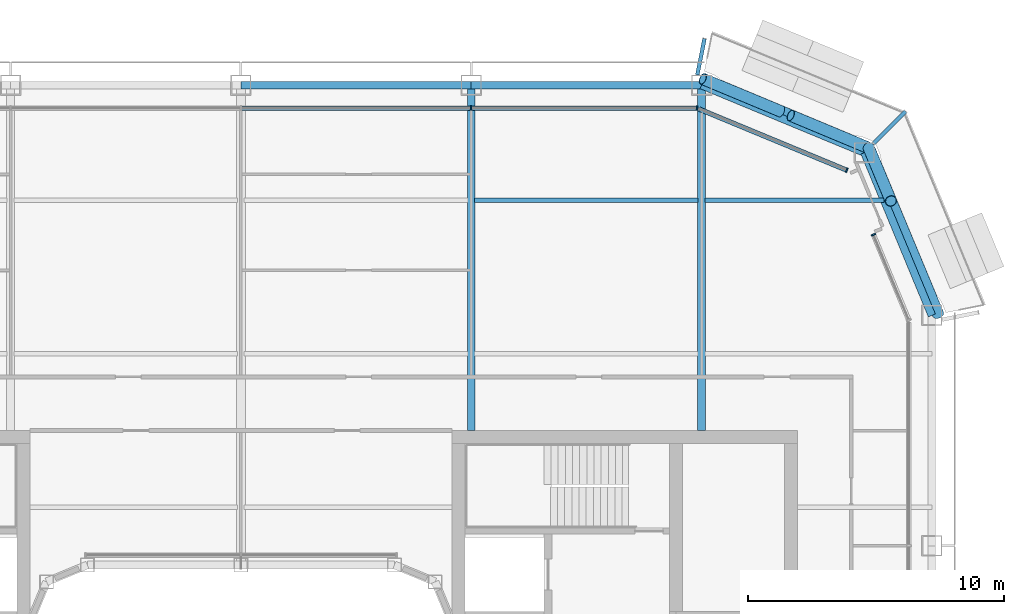
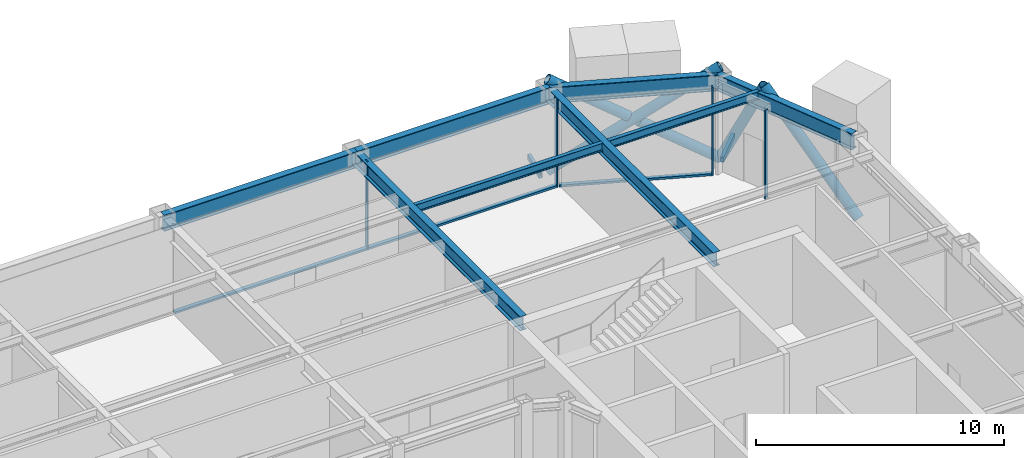
# One storey, part 10 of 23: 12 members, 10 beams, 3 elements without a shape of their own.
"""IFC4 building model written with IfcOpenShell, lengths in metres."""

from ifc_helpers import new_model, si_unit, direction, frame, origin, origin_2d, place, context, subcontext, project, spatial, rectangle, hollow_rectangle, hollow_circle, i_section, extrude, material, layer, layer_set, material_profile, profile_set, type_object, element, aggregate, save


model = new_model("IFC4")

# Units and contexts
model_context = context("Model", 3, precision=1e-05, world=origin(), true_north=direction((0.0, 1.0)))
body_context = subcontext(model_context, "Body", "Model", "MODEL_VIEW")
ifc_project = project(units=[si_unit("LENGTHUNIT", "METRE"), si_unit("AREAUNIT", "SQUARE_METRE"), si_unit("VOLUMEUNIT", "CUBIC_METRE"), si_unit("PLANEANGLEUNIT", "RADIAN"), si_unit("MASSUNIT", "GRAM", prefix="KILO")], contexts=[model_context])

# Site, building, storey
site_placement = place(None, origin())
site = spatial("IfcSite", under=ifc_project, at=site_placement, CompositionType="ELEMENT")
building_placement = place(site_placement, origin())
building = spatial("IfcBuilding", under=site, at=building_placement, Name="Siwar Civic Tower", CompositionType="ELEMENT")
storey_placement = place(building_placement, frame((0.0, 0.0, 242.199951171875)))
storey = spatial("IfcBuildingStorey", under=building, at=storey_placement, Name="L52", CompositionType="ELEMENT", Elevation=242.199951171875)

# Beams
ifc_material_1 = material(Name="Steel S355", Category="steel")
ifc_material_profile_1 = material_profile(ifc_material_1, hollow_rectangle(XDim=0.14990234375, YDim=0.25, WallThickness=0.010009765625, at=origin_2d()), Name="RHS250x150x10")
ifc_profile_set_1 = profile_set([ifc_material_profile_1], Name="Steel S355")
beam_type_1 = type_object("IfcBeamType", Name="ENV-BALCONY ARM", PredefinedType="BEAM", material=ifc_profile_set_1)
beam_1_placement = place(storey_placement, frame((24.728515625, 24.728515625, -0.27490234375), z_axis=(0.707106781187, 0.707106781187, 0.0), x_axis=(-0.707106781187, 0.707106781187, 0.0)))
element("IfcBeam", 1, at=beam_1_placement, inside=storey, type_object=beam_type_1, Name="Balcony cantilever beam NE 2", PredefinedType="BEAM", context=body_context, shape_type="SweptSolid", body=[
    extrude(hollow_rectangle(XDim=0.14990234375, YDim=0.25, WallThickness=0.010009765625, at=origin_2d()), origin(), (0.0, 0.0, 1.0), 1.75732421875),
])
beam_2_placement = place(storey_placement, frame((17.8349609375, 27.39990234375, -0.27490234375), z_axis=(0.195042496631, 0.980794792252, 0.0), x_axis=(-0.980794792252, 0.195042496631, 0.0)))
element("IfcBeam", 2, at=beam_2_placement, inside=storey, type_object=beam_type_1, Name="Balcony cantilever beam NE 3", PredefinedType="BEAM", context=body_context, shape_type="SweptSolid", body=[
    extrude(hollow_rectangle(XDim=0.14990234375, YDim=0.25, WallThickness=0.010009765625, at=origin_2d()), origin(), (0.0, 0.0, 1.0), 1.443359375),
])

# Curtain wall, member
ifc_material_2 = material(Name="Aluminium clad insulated panel", Category="aluminium")
ifc_layer_1 = layer(ifc_material_2, 0.179931640625)
ifc_layer_set_1 = layer_set([ifc_layer_1], Name="Aluminium clad insulated panel")
curtain_wall_type_1 = type_object("IfcCurtainWallType", Name="ENV-CW-CX", PredefinedType="NOTDEFINED", material=ifc_layer_set_1)
curtain_wall_1_placement = place(storey_placement, origin())
curtain_wall_1 = element("IfcCurtainWall", 3, at=curtain_wall_1_placement, inside=storey, type_object=curtain_wall_type_1, Name="Curtain wall C NE1", PredefinedType="NOTDEFINED")
ifc_material_3 = material(Name="Aluminium 6063-T6", Category="aluminium")
ifc_material_profile_2 = material_profile(ifc_material_3, rectangle(XDim=0.179931640625, YDim=0.06005859375, at=origin_2d()), Name="AL 180x60")
ifc_profile_set_2 = profile_set([ifc_material_profile_2], Name="Aluminium 6063-T6")
member_type_1 = type_object("IfcMemberType", Name="ENV-MULLION-C", PredefinedType="MULLION", material=ifc_profile_set_2)
member_1_placement = place(storey_placement, frame((24.719482421875, 21.153564453125, 0.0), z_axis=(0.0, 0.0, 1.0), x_axis=(-0.923879532511, -0.382683432365, 0.0)))
member_1 = element("IfcMember", 4, at=member_1_placement, type_object=member_type_1, Name="Mullion C NE1 2", PredefinedType="MULLION", context=body_context, shape_type="SweptSolid", body=[
    extrude(rectangle(XDim=0.179931640625, YDim=0.06005859375, at=origin_2d()), origin(), (0.0, 0.0, 1.0), 4.35009765625),
])
aggregate(curtain_wall_1, [member_1])

curtain_wall_2_placement = place(storey_placement, origin())
curtain_wall_2 = element("IfcCurtainWall", 5, at=curtain_wall_2_placement, inside=storey, type_object=curtain_wall_type_1, Name="Curtain wall C NE2", PredefinedType="NOTDEFINED")
member_2_placement = place(storey_placement, frame((23.675048828125, 23.675048828125, 0.0), z_axis=(0.0, 0.0, 1.0), x_axis=(-0.382683432365, -0.923879532511, 0.0)))
member_2 = element("IfcMember", 6, at=member_2_placement, type_object=member_type_1, Name="Mullion C NE2 1", PredefinedType="MULLION", context=body_context, shape_type="SweptSolid", body=[
    extrude(rectangle(XDim=0.179931640625, YDim=0.06005859375, at=origin_2d()), origin(), (0.0, 0.0, 1.0), 4.35009765625),
])

# Curtain wall, members
ifc_material_4 = material(Name="Aluminium and glass", Category="aluminium")
ifc_layer_2 = layer(ifc_material_4, 0.179931640625)
ifc_layer_set_2 = layer_set([ifc_layer_2], Name="Aluminium and glass")
curtain_wall_type_2 = type_object("IfcCurtainWallType", Name="ENV-CW-C", PredefinedType="NOTDEFINED", material=ifc_layer_set_2)
curtain_wall_3_placement = place(storey_placement, origin())
curtain_wall_3 = element("IfcCurtainWall", 7, at=curtain_wall_3_placement, inside=storey, type_object=curtain_wall_type_2, Name="Curtain wall C N", PredefinedType="NOTDEFINED")
member_3_placement = place(storey_placement, frame((17.821044921875, 26.10009765625, 0.0), z_axis=(0.0, 0.0, 1.0), x_axis=(0.0, -1.0, 0.0)))
member_3 = element("IfcMember", 8, at=member_3_placement, type_object=member_type_1, Name="Mullion C N 1", PredefinedType="MULLION", context=body_context, shape_type="SweptSolid", body=[
    extrude(rectangle(XDim=0.179931640625, YDim=0.06005859375, at=origin_2d()), origin(), (0.0, 0.0, 1.0), 4.35009765625),
])
member_4_placement = place(storey_placement, frame((9.0, 26.10009765625, 0.0), z_axis=(0.0, 0.0, 1.0), x_axis=(0.0, -1.0, 0.0)))
member_4 = element("IfcMember", 9, at=member_4_placement, type_object=member_type_1, Name="Mullion C N 2", PredefinedType="MULLION", context=body_context, shape_type="SweptSolid", body=[
    extrude(rectangle(XDim=0.179931640625, YDim=0.06005859375, at=origin_2d()), origin(), (0.0, 0.0, 1.0), 4.35009765625),
])

# Member
ifc_material_5 = material(Name="Aluminium 6063-T6", Category="aluminium")
ifc_material_profile_3 = material_profile(ifc_material_5, rectangle(XDim=0.179931640625, YDim=0.10009765625, at=origin_2d()), Name="AL 180x100")
ifc_profile_set_3 = profile_set([ifc_material_profile_3], Name="Aluminium 6063-T6")
member_type_2 = type_object("IfcMemberType", Name="ENV-TRANSOM-C", PredefinedType="USERDEFINED", material=ifc_profile_set_3)
member_5_placement = place(storey_placement, frame((23.6474609375, 23.6865234375, 0.050048828125), z_axis=(-0.923876246063, 0.382691366456, 0.0), x_axis=(-0.382691366456, -0.923876246063, 0.0)))
member_5 = element("IfcMember", 10, at=member_5_placement, type_object=member_type_2, Name="Transom C NE2 1", ObjectType="TRANSOM", PredefinedType="USERDEFINED", context=body_context, shape_type="SweptSolid", body=[
    extrude(rectangle(XDim=0.179931640625, YDim=0.10009765625, at=origin_2d()), origin(), (0.0, 0.0, 1.0), 6.20166015625),
])

aggregate(curtain_wall_2, [member_2, member_5])

member_6_placement = place(storey_placement, frame((17.791015625, 26.10009765625, 0.050048828125), z_axis=(-1.0, 0.0, 0.0), x_axis=(0.0, -1.0, 0.0)))
member_6 = element("IfcMember", 11, at=member_6_placement, type_object=member_type_2, Name="Transom C N 1", ObjectType="TRANSOM", PredefinedType="USERDEFINED", context=body_context, shape_type="SweptSolid", body=[
    extrude(rectangle(XDim=0.179931640625, YDim=0.10009765625, at=origin_2d()), origin(), (0.0, 0.0, 1.0), 8.760986328125),
])

member_7_placement = place(storey_placement, frame((8.969970703125, 26.10009765625, 0.050048828125), z_axis=(-1.0, 0.0, 0.0), x_axis=(0.0, -1.0, 0.0)))
member_7 = element("IfcMember", 12, at=member_7_placement, type_object=member_type_2, Name="Transom C N 2", ObjectType="TRANSOM", PredefinedType="USERDEFINED", context=body_context, shape_type="SweptSolid", body=[
    extrude(rectangle(XDim=0.179931640625, YDim=0.10009765625, at=origin_2d()), origin(), (0.0, 0.0, 1.0), 8.93994140625),
])

aggregate(curtain_wall_3, [member_3, member_4, member_6, member_7])

# Members
ifc_material_6 = material(Name="Steel S355", Category="steel")
ifc_material_profile_4 = material_profile(ifc_material_6, hollow_circle(Radius=0.228515625, WallThickness=0.02001953125, at=origin_2d()), Name="CHS457x20")
ifc_profile_set_4 = profile_set([ifc_material_profile_4], Name="Steel S355")
member_type_3 = type_object("IfcMemberType", Name="STR-BR-CHS457x20", PredefinedType="BRACE", material=ifc_profile_set_4)
member_8_placement = place(storey_placement, frame((18.048828125, 27.2451171875, 0.0), z_axis=(0.777554562952, -0.323905527954, 0.538975055633), x_axis=(0.384538969033, 0.923108759191, 0.0)))
element("IfcMember", 13, at=member_8_placement, inside=storey, type_object=member_type_3, Name="L52/brc/CNE1-12-0-1", PredefinedType="BRACE", context=body_context, shape_type="SweptSolid", body=[
    extrude(hollow_circle(Radius=0.228515625, WallThickness=0.02001953125, at=origin_2d()), origin(), (0.0, 0.0, 1.0), 8.34912109375),
])
for number, where, z_axis, x_axis, name in (
    (14, (24.540771484375, 24.540771484375, 0.0), (-0.777546448489, 0.323884455881, 0.538999424564), (-0.38452107079, -0.92311621485, 0.0), "L52/brc/CNE1-12-0-2"),
    (15, (21.10302734375, 25.972900390625, 2.383056640625), (-0.777572496853, 0.323895306243, 0.538955325357), (-0.38452107079, -0.92311621485, 0.0), "L52/brc/CNE1-12-0-3"),
):
    element("IfcMember", number, at=place(storey_placement, frame(where, z_axis=z_axis, x_axis=x_axis)), inside=storey, type_object=member_type_3, Name=name, PredefinedType="BRACE", context=body_context, shape_type="SweptSolid", body=[
        extrude(hollow_circle(Radius=0.228515625, WallThickness=0.02001953125, at=origin_2d()), origin(), (0.0, 0.0, 1.0), 3.927978515625),
    ])
member_9_placement = place(storey_placement, frame((27.2451171875, 18.048828125, 0.0), z_axis=(-0.280310719993, 0.672864582402, 0.684601456328), x_axis=(-0.923101041979, -0.384557494138, 0.0)))
element("IfcMember", 16, at=member_9_placement, inside=storey, type_object=member_type_3, Name="L52/brc/CNE1-12-0-0", PredefinedType="BRACE", context=body_context, shape_type="SweptSolid", body=[
    extrude(hollow_circle(Radius=0.228515625, WallThickness=0.02001953125, at=origin_2d()), origin(), (0.0, 0.0, 1.0), 6.5732421875),
])
member_10_placement = place(storey_placement, frame((24.540771484375, 24.540771484375, 0.0), z_axis=(0.171426870802, -0.411570178484, 0.895110504993), x_axis=(0.923125254544, 0.384499368559, 0.0)))
element("IfcMember", 17, at=member_10_placement, inside=storey, type_object=member_type_3, Name="L52/brc/CNE1-12-0-6", PredefinedType="BRACE", context=body_context, shape_type="SweptSolid", body=[
    extrude(hollow_circle(Radius=0.228515625, WallThickness=0.02001953125, at=origin_2d()), origin(), (0.0, 0.0, 1.0), 5.02734375),
])

# Beams
ifc_material_7 = material(Name="Steel S355", Category="steel")
ifc_material_profile_5 = material_profile(ifc_material_7, i_section(OverallWidth=0.179931640625, OverallDepth=0.39990234375, WebThickness=0.008544921875, FlangeThickness=0.013427734375, FilletRadius=0.02099609375, at=origin_2d()), Name="IPE400")
ifc_profile_set_5 = profile_set([ifc_material_profile_5], Name="Steel S355")
beam_type_2 = type_object("IfcBeamType", Name="STR-FB-IPE400", PredefinedType="JOIST", material=ifc_profile_set_5)
beam_3_placement = place(storey_placement, frame((9.1298828125, 22.5, 4.150146484375), z_axis=(1.0, 0.0, 0.0), x_axis=(0.0, 1.0, 0.0)))
element("IfcBeam", 18, at=beam_3_placement, inside=storey, type_object=beam_type_2, Name="L52/bm/F041", PredefinedType="JOIST", context=body_context, shape_type="SweptSolid", body=[
    extrude(i_section(OverallWidth=0.179931640625, OverallDepth=0.39990234375, WebThickness=0.008544921875, FlangeThickness=0.013427734375, FilletRadius=0.02099609375, at=origin_2d()), origin(), (0.0, 0.0, 1.0), 8.740234375),
])
beam_4_placement = place(storey_placement, frame((18.1298828125, 22.5, 4.150146484375), z_axis=(1.0, 0.0, 0.0), x_axis=(0.0, 1.0, 0.0)))
element("IfcBeam", 19, at=beam_4_placement, inside=storey, type_object=beam_type_2, Name="L52/bm/F042", PredefinedType="JOIST", context=body_context, shape_type="SweptSolid", body=[
    extrude(i_section(OverallWidth=0.179931640625, OverallDepth=0.39990234375, WebThickness=0.008544921875, FlangeThickness=0.013427734375, FilletRadius=0.02099609375, at=origin_2d()), origin(), (0.0, 0.0, 1.0), 7.006103515625),
])
ifc_material_8 = material(Name="Steel S355", Category="steel")
ifc_material_profile_6 = material_profile(ifc_material_8, i_section(OverallWidth=0.300048828125, OverallDepth=0.699951171875, WebThickness=0.01708984375, FlangeThickness=0.031982421875, FilletRadius=0.027099609375, at=origin_2d()), Name="HEB700")
ifc_profile_set_6 = profile_set([ifc_material_profile_6], Name="Steel S355")
beam_type_3 = type_object("IfcBeamType", Name="STR-PG-HEB700", PredefinedType="BEAM", material=ifc_profile_set_6)
for number, where, z_axis, x_axis, name in (
    (20, (9.0, 13.5, 4.0), (0.0, 1.0, 0.0), (-1.0, 0.0, 0.0), "L52/bm/G08"),
    (21, (18.0, 13.5, 4.0), (0.0, 1.0, 0.0), (-1.0, 0.0, 0.0), "L52/bm/G10"),
):
    element("IfcBeam", number, at=place(storey_placement, frame(where, z_axis=z_axis, x_axis=x_axis)), inside=storey, type_object=beam_type_3, Name=name, PredefinedType="BEAM", context=body_context, shape_type="SweptSolid", body=[
        extrude(i_section(OverallWidth=0.300048828125, OverallDepth=0.699951171875, WebThickness=0.01708984375, FlangeThickness=0.031982421875, FilletRadius=0.027099609375, at=origin_2d()), origin(), (0.0, 0.0, 1.0), 13.5),
    ])
ifc_material_9 = material(Name="Steel S355", Category="steel")
ifc_material_profile_7 = material_profile(ifc_material_9, i_section(OverallWidth=0.300048828125, OverallDepth=0.800048828125, WebThickness=0.017578125, FlangeThickness=0.032958984375, FilletRadius=0.030029296875, at=origin_2d()), Name="HEB800")
ifc_profile_set_7 = profile_set([ifc_material_profile_7], Name="Steel S355")
beam_type_4 = type_object("IfcBeamType", Name="STR-SB-HEB800", PredefinedType="BEAM", material=ifc_profile_set_7)
for number, where, z_axis, x_axis, name in (
    (22, (27.0, 18.0, 3.949951171875), (-0.382674207535, 0.923883353507, 0.0), (-0.923883353507, -0.382674207535, 0.0), "L52/bm/SNE1-0"),
    (23, (24.364013671875, 24.364013671875, 3.949951171875), (-0.923883353507, 0.382674207535, 0.0), (-0.382674207535, -0.923883353507, 0.0), "L52/bm/SNE2-0"),
):
    element("IfcBeam", number, at=place(storey_placement, frame(where, z_axis=z_axis, x_axis=x_axis)), inside=storey, type_object=beam_type_4, Name=name, PredefinedType="BEAM", context=body_context, shape_type="SweptSolid", body=[
        extrude(i_section(OverallWidth=0.300048828125, OverallDepth=0.800048828125, WebThickness=0.017578125, FlangeThickness=0.032958984375, FilletRadius=0.030029296875, at=origin_2d()), origin(), (0.0, 0.0, 1.0), 6.888427734375),
    ])
for number, where, z_axis, x_axis, name in (
    (24, (18.0, 27.0, 3.949951171875), (-1.0, 0.0, 0.0), (0.0, -1.0, 0.0), "L52/bm/SN-0"),
    (25, (9.0, 27.0, 3.949951171875), (-1.0, 0.0, 0.0), (0.0, -1.0, 0.0), "L52/bm/SN-1"),
):
    element("IfcBeam", number, at=place(storey_placement, frame(where, z_axis=z_axis, x_axis=x_axis)), inside=storey, type_object=beam_type_4, Name=name, PredefinedType="BEAM", context=body_context, shape_type="SweptSolid", body=[
        extrude(i_section(OverallWidth=0.300048828125, OverallDepth=0.800048828125, WebThickness=0.017578125, FlangeThickness=0.032958984375, FilletRadius=0.030029296875, at=origin_2d()), origin(), (0.0, 0.0, 1.0), 9.0),
    ])

save(model, "model.ifc")
